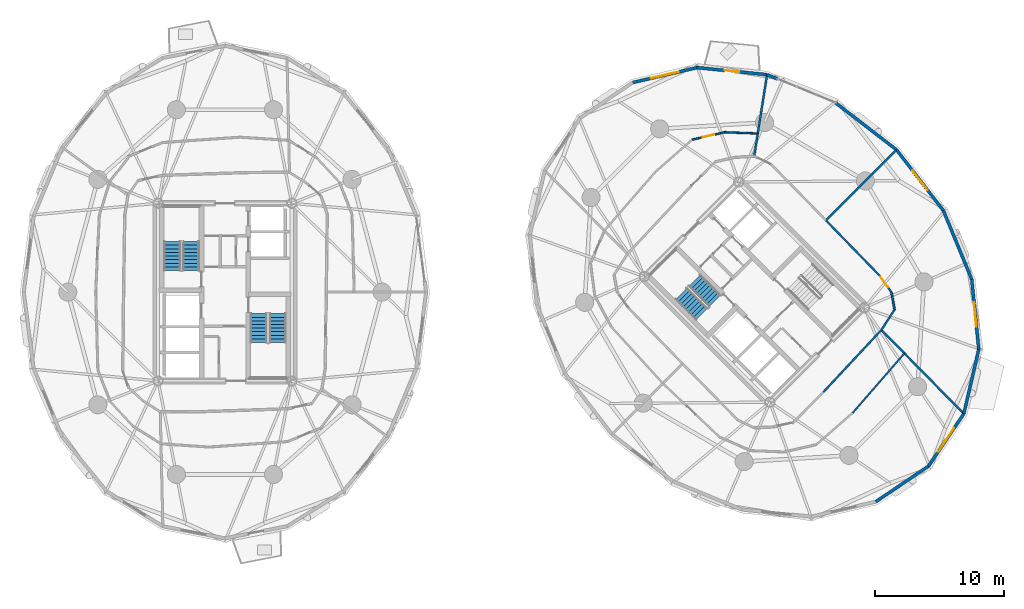
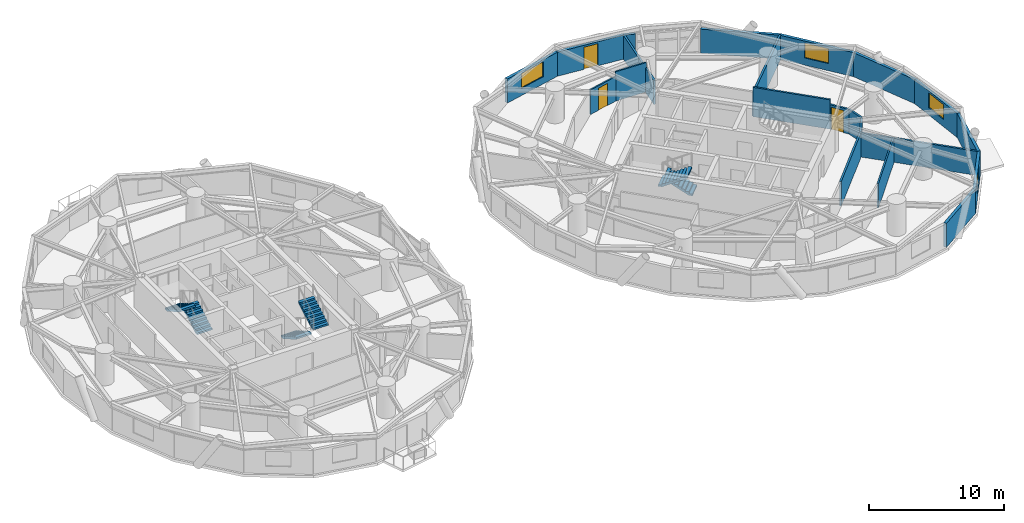
# One storey, part 14 of 18: 21 walls, 6 stair flights, 4 windows, 3 doors, 7 openings, 3 elements without a shape of their own.
"""IFC4 building model written with IfcOpenShell, lengths in metres."""

import ifcopenshell
import ifcopenshell.guid

model = None  # the IFC model being written
_history = None  # IfcOwnerHistory: only IFC2X3 demands one
_inside = {}  # id of a spatial element -> (the spatial element, [elements in it])
_under = {}  # id of a project, library or spatial element -> (it, [spatial elements below it])
_declared = {}  # id of a project -> (the project, [libraries it declares])
_typed = {}  # id of a type object -> (the type object, [elements of that type])
_made_of = {}  # id of a material, layer set ... -> (it, [elements and type objects made of it])


def new_model(schema):
    """Start an empty IFC model of exactly this schema.

    Asked for "IFC4X3", IfcOpenShell would pick the latest addendum, in which some entities
    have other attributes; the version numbers below select the first issue.
    IFC2X3 requires an IfcOwnerHistory on every rooted entity: one is made here for all.
    """
    global model, _history
    if schema == "IFC4X3":
        model = ifcopenshell.file(schema_version=(4, 3, 0, 0))
    else:
        model = ifcopenshell.file(schema=schema)
    _inside.clear()
    _under.clear()
    _declared.clear()
    _typed.clear()
    _made_of.clear()
    _history = None
    if model.schema == "IFC2X3":
        org = make("IfcOrganization", Name="unknown")
        user = make(
            "IfcPersonAndOrganization",
            ThePerson=make("IfcPerson", FamilyName="unknown"),
            TheOrganization=org,
        )
        app = make(
            "IfcApplication",
            ApplicationDeveloper=org,
            Version="unknown",
            ApplicationFullName="unknown",
            ApplicationIdentifier="unknown",
        )
        _history = make(
            "IfcOwnerHistory",
            OwningUser=user,
            OwningApplication=app,
            ChangeAction="ADDED",
            CreationDate=0,
        )
    return model


def make(cls, **values):
    """One entity of the class cls with the attributes given. An attribute that is None is left unset."""
    return model.create_entity(
        cls, **{name: value for name, value in values.items() if value is not None}
    )


def rooted(cls, **values):
    """An entity with a GlobalId (a new one), such as an element, a storey or a relation."""
    return make(cls, GlobalId=ifcopenshell.guid.new(), OwnerHistory=_history, **values)


def si_unit(unit_type, name, prefix=None):
    """IfcSIUnit, for example si_unit("LENGTHUNIT", "METRE", prefix="MILLI")."""
    return make("IfcSIUnit", UnitType=unit_type, Prefix=prefix, Name=name)


def assignment(units):
    """IfcUnitAssignment: the units of a project."""
    return None if units is None else make("IfcUnitAssignment", Units=units)


def point(xyz):
    """IfcCartesianPoint."""
    return None if xyz is None else make("IfcCartesianPoint", Coordinates=xyz)


def direction(xyz):
    """IfcDirection."""
    return None if xyz is None else make("IfcDirection", DirectionRatios=xyz)


def frame(location, z_axis=None, x_axis=None):
    """IfcAxis2Placement3D, a coordinate frame: its origin and axes. An axis left out is left unset."""
    return make(
        "IfcAxis2Placement3D",
        Location=point(location),
        Axis=direction(z_axis),
        RefDirection=direction(x_axis),
    )


def frame_2d(location, x_axis=None):
    """IfcAxis2Placement2D, a coordinate frame in the plane: its origin and x axis."""
    return make(
        "IfcAxis2Placement2D", Location=point(location), RefDirection=direction(x_axis)
    )


def origin():
    """The frame at (0, 0, 0) with its axes left unset."""
    return frame((0.0, 0.0, 0.0))


def place(relative_to, where):
    """IfcLocalPlacement: puts the frame where relative to a parent placement (None: the world)."""
    return make(
        "IfcLocalPlacement", PlacementRelTo=relative_to, RelativePlacement=where
    )


def context(
    kind, dimensions, precision=None, world=None, true_north=None, identifier=None
):
    """IfcGeometricRepresentationContext, for example the 3D "Model" context."""
    return make(
        "IfcGeometricRepresentationContext",
        ContextIdentifier=identifier,
        ContextType=kind,
        CoordinateSpaceDimension=dimensions,
        Precision=precision,
        WorldCoordinateSystem=world,
        TrueNorth=true_north,
    )


def subcontext(parent, identifier, kind, view, scale=None):
    """IfcGeometricRepresentationSubContext, for example "Body" below "Model"."""
    return make(
        "IfcGeometricRepresentationSubContext",
        ContextIdentifier=identifier,
        ContextType=kind,
        ParentContext=parent,
        TargetScale=scale,
        TargetView=view,
    )


def project(units=None, contexts=None):
    """IfcProject with its units and contexts."""
    return rooted(
        "IfcProject",
        Name="project",
        RepresentationContexts=contexts,
        UnitsInContext=assignment(units),
    )


def spatial(cls, under=None, at=None, **own):
    """A site, building, storey or space (cls), placed at a placement, below another one or the project."""
    s = rooted(cls, ObjectPlacement=at, **own)
    if under is not None:
        _under.setdefault(under.id(), (under, []))[1].append(s)
    return s


def polyline(points):
    """IfcPolyline through the points."""
    return make("IfcPolyline", Points=[point(p) for p in points])


def profile(cls, at=None, kind="AREA", **sizes):
    """A parametric profile (cls). Its sizes go by their IFC names, for example OverallWidth=200.0."""
    return make(cls, ProfileType=kind, Position=at, **sizes)


def rectangle(**sizes):
    """IfcRectangleProfileDef."""
    return profile("IfcRectangleProfileDef", **sizes)


def outline(outer, holes=None, kind="AREA"):
    """IfcArbitraryClosedProfileDef: a profile drawn as a closed curve; with holes, ...WithVoids."""
    if holes is None:
        return make("IfcArbitraryClosedProfileDef", ProfileType=kind, OuterCurve=outer)
    return make(
        "IfcArbitraryProfileDefWithVoids",
        ProfileType=kind,
        OuterCurve=outer,
        InnerCurves=holes,
    )


def extrude(swept, where, along, depth):
    """IfcExtrudedAreaSolid: the profile swept, set in the frame where, extruded along a direction by depth."""
    return make(
        "IfcExtrudedAreaSolid",
        SweptArea=swept,
        Position=where,
        ExtrudedDirection=direction(along),
        Depth=depth,
    )


def shape(context_of_items, identifier, shape_type, items):
    """IfcShapeRepresentation: the items that make up one representation, for example the "Body"."""
    return make(
        "IfcShapeRepresentation",
        ContextOfItems=context_of_items,
        RepresentationIdentifier=identifier,
        RepresentationType=shape_type,
        Items=items,
    )


def source(mapping_origin, context_of_items, identifier, shape_type, items):
    """IfcRepresentationMap: a shape defined once, which mapped items show again and again."""
    return make(
        "IfcRepresentationMap",
        MappingOrigin=mapping_origin,
        MappedRepresentation=shape(context_of_items, identifier, shape_type, items),
    )


def transform(
    local_origin,
    x_axis=None,
    y_axis=None,
    z_axis=None,
    scale=None,
    scale2=None,
    scale3=None,
    uniform=True,
):
    """IfcCartesianTransformationOperator3D, or its non-uniform kind. x_axis, y_axis, z_axis: its Axis1, 2, 3."""
    if uniform:
        return make(
            "IfcCartesianTransformationOperator3D",
            Axis1=direction(x_axis),
            Axis2=direction(y_axis),
            LocalOrigin=point(local_origin),
            Scale=scale,
            Axis3=direction(z_axis),
        )
    return make(
        "IfcCartesianTransformationOperator3DnonUniform",
        Axis1=direction(x_axis),
        Axis2=direction(y_axis),
        LocalOrigin=point(local_origin),
        Scale=scale,
        Axis3=direction(z_axis),
        Scale2=scale2,
        Scale3=scale3,
    )


def mapped(mapping_source, mapping_target):
    """IfcMappedItem: shows the shape of a source again, moved by a transform."""
    return make(
        "IfcMappedItem", MappingSource=mapping_source, MappingTarget=mapping_target
    )


def material(Name=None, Category=None):
    """IfcMaterial."""
    return make("IfcMaterial", Name=Name, Category=Category)


def layer(
    of_material, thickness, ventilated=None, Name=None, Category=None, Priority=None
):
    """IfcMaterialLayer: one layer of a wall or slab, of a material (None: an air gap)."""
    return make(
        "IfcMaterialLayer",
        Material=of_material,
        LayerThickness=thickness,
        IsVentilated=ventilated,
        Name=Name,
        Category=Category,
        Priority=Priority,
    )


def layer_set(layers, Name=None):
    """IfcMaterialLayerSet."""
    return make("IfcMaterialLayerSet", MaterialLayers=layers, LayerSetName=Name)


def made_of(thing, what):
    """Note that an element or type object is made of a material, layer set ...; save() writes the relation."""
    if what is not None:
        _made_of.setdefault(what.id(), (what, []))[1].append(thing)
    return thing


def type_object(cls, material=None, **own):
    """A type object (cls), such as IfcWallType, which elements share."""
    return made_of(rooted(cls, **own), material)


def element(
    cls,
    number,
    at=None,
    inside=None,
    cuts=None,
    type_object=None,
    material=None,
    context=None,
    identifier="Body",
    shape_type=None,
    held_by="IfcProductDefinitionShape",
    body=None,
    shapes=None,
    **own,
):
    """One element of the class cls, such as IfcWall. Its Tag is "e" and its number.

    at: its placement. inside: the storey or other place that contains it. cuts: it is an
    opening in that element (IfcRelVoidsElement). A single representation is given by context,
    identifier, shape_type and body (its items); several are given by shapes. held_by: the class
    of the entity that holds the representations. save() writes the other relations.
    """
    e = rooted(cls, Tag="e%d" % number, ObjectPlacement=at, **own)
    if body is not None:
        shapes = [shape(context, identifier, shape_type, body)]
    if shapes is not None:
        e.Representation = make(held_by, Representations=shapes)
    if inside is not None:
        _inside.setdefault(inside.id(), (inside, []))[1].append(e)
    if cuts is not None:
        rooted(
            "IfcRelVoidsElement", RelatingBuildingElement=cuts, RelatedOpeningElement=e
        )
    if type_object is not None:
        _typed.setdefault(type_object.id(), (type_object, []))[1].append(e)
    return made_of(e, material)


def fill(opening, filler):
    """IfcRelFillsElement: the door or window that sits in an opening."""
    return rooted(
        "IfcRelFillsElement",
        RelatingOpeningElement=opening,
        RelatedBuildingElement=filler,
    )


def aggregate(whole, parts):
    """IfcRelAggregates: a whole, such as a stair, and the parts it consists of."""
    return rooted("IfcRelAggregates", RelatingObject=whole, RelatedObjects=parts)


def save(model, path):
    """Write the relations noted so far, then the file.

    IfcRelAggregates (storeys below a building ...), IfcRelContainedInSpatialStructure (elements
    in a storey), IfcRelDefinesByType, IfcRelAssociatesMaterial and IfcRelDeclares: one each for
    every whole, place, type object, material and project.
    """
    for whole, parts in _under.values():
        aggregate(whole, parts)
    for where, things in _inside.values():
        rooted(
            "IfcRelContainedInSpatialStructure",
            RelatedElements=things,
            RelatingStructure=where,
        )
    for kind, things in _typed.values():
        rooted("IfcRelDefinesByType", RelatedObjects=things, RelatingType=kind)
    for what, things in _made_of.values():
        rooted("IfcRelAssociatesMaterial", RelatedObjects=things, RelatingMaterial=what)
    for by, libraries in _declared.values():
        rooted("IfcRelDeclares", RelatingContext=by, RelatedDefinitions=libraries)
    model.write(path)


model = new_model("IFC4")

# Units and contexts
model_context = context("Model", 3, precision=1e-05, world=origin(), true_north=direction((0.0, 1.0)))
body_context = subcontext(model_context, "Body", "Model", "MODEL_VIEW")
ifc_project = project(units=[si_unit("LENGTHUNIT", "METRE"), si_unit("AREAUNIT", "SQUARE_METRE"), si_unit("VOLUMEUNIT", "CUBIC_METRE"), si_unit("PLANEANGLEUNIT", "RADIAN"), si_unit("MASSUNIT", "GRAM", prefix="KILO")], contexts=[model_context])

# Site, building, storey
site_placement = place(None, origin())
site = spatial("IfcSite", under=ifc_project, at=site_placement, CompositionType="ELEMENT")
building_placement = place(site_placement, origin())
building = spatial("IfcBuilding", under=site, at=building_placement, Name="Cununo Teusaquillo Station Towers", CompositionType="ELEMENT")
storey_placement = place(building_placement, frame((0.0, 0.0, 87.610107421875)))
storey = spatial("IfcBuildingStorey", under=building, at=storey_placement, Name="L27", CompositionType="ELEMENT", Elevation=87.610107421875)

# Walls
ifc_material_1 = material(Name="Precast concrete C40/50", Category="concrete")
ifc_layer_1 = layer(ifc_material_1, 0.239990234375)
ifc_layer_set_1 = layer_set([ifc_layer_1], Name="Precast concrete C40/50")
wall_type_1 = type_object("IfcWallType", Name="WL-EXT-240", PredefinedType="SOLIDWALL", material=ifc_layer_set_1)
wall_1_placement = place(storey_placement, frame((63.811279296875, 39.145263671875, 0.0), z_axis=(0.0, 0.0, 1.0), x_axis=(0.791982052206, -0.61054437102, 0.0)))
element("IfcWall", 1, at=wall_1_placement, inside=storey, type_object=wall_type_1, Name="L27 Tower B Exterior Facade Wall C00", PredefinedType="SOLIDWALL", context=body_context, shape_type="SweptSolid", body=[
    extrude(rectangle(XDim=5.942138671875, YDim=0.239990234375, at=frame_2d((2.97119140625, 0.0))), origin(), (0.0, 0.0, 1.0), 2.178955078125),
])
wall_2_placement = place(storey_placement, frame((58.4873046875, 41.33935546875, 0.0), z_axis=(0.0, 0.0, 1.0), x_axis=(0.924556017656, -0.381046152345, 0.0)))
element("IfcWall", 2, at=wall_2_placement, inside=storey, type_object=wall_type_1, Name="L27 Tower B Column Pier Cladding Wall C01-PA", PredefinedType="SOLIDWALL", context=body_context, shape_type="SweptSolid", body=[
    extrude(rectangle(XDim=0.8701171875, YDim=0.239990234375, at=frame_2d((0.43505859375, 0.0))), origin(), (0.0, 0.0, 1.0), 2.178955078125),
])

# Wall, opening, door
wall_3_placement = place(storey_placement, frame((53.066650390625, 41.885009765625, 0.0), z_axis=(0.0, 0.0, 1.0), x_axis=(0.994971754311, -0.10015591906, 0.0)))
wall_3 = element("IfcWall", 3, at=wall_3_placement, inside=storey, type_object=wall_type_1, Name="L27 Tower B Exterior Facade Wall C02", PredefinedType="SOLIDWALL", context=body_context, shape_type="SweptSolid", body=[
    extrude(rectangle(XDim=5.447998046875, YDim=0.239990234375, at=frame_2d((2.72412109375, 0.0))), origin(), (0.0, 0.0, 1.0), 2.178955078125),
])
shared_shape_1 = source(origin(), body_context, "Body", "SweptSolid", [
    extrude(rectangle(XDim=1.14990234375, YDim=2.0048828125, at=frame_2d((0.574951171875, 1.00244140625))), frame((0.0, 0.1298828125, 0.0), z_axis=(0.0, -1.0, 0.0), x_axis=(1.0, 0.0, 0.0)), (0.0, 0.0, 1.0), 0.260009765625),
])
opening_1_placement = place(wall_3_placement, frame((2.14892578125, 0.0, 0.0)))
opening_1 = element("IfcOpeningElement", 4, at=opening_1_placement, cuts=wall_3, Name="Opening ED-03", PredefinedType="OPENING", context=body_context, shape_type="MappedRepresentation", body=[
    mapped(shared_shape_1, transform((0.0, 0.0, 0.0), x_axis=(1.0, 0.0, 0.0), y_axis=(0.0, 1.0, 0.0), z_axis=(0.0, 0.0, 1.0), scale=1.0)),
])
ifc_material_2 = material(Name="Anodised dark bronze aluminium EN AW-6063-T6", Category="aluminium")
door_type_1 = type_object("IfcDoorType", Name="DR-EXT-BAL", OperationType="NOTDEFINED", PredefinedType="DOOR", material=ifc_material_2)
shared_shape_2 = source(origin(), body_context, "Body", "SweptSolid", [
    extrude(rectangle(XDim=1.14990234375, YDim=2.0048828125, at=frame_2d((0.574951171875, 1.00244140625))), frame((0.0, 0.02490234375, 0.0), z_axis=(0.0, -1.0, 0.0), x_axis=(1.0, 0.0, 0.0)), (0.0, 0.0, 1.0), 0.050048828125),
])
door_1_placement = place(opening_1_placement, origin())
door_1 = element("IfcDoor", 5, at=door_1_placement, inside=storey, type_object=door_type_1, Name="L27 Tower B Tree Balcony Door C02", OperationType="SINGLE_SWING_LEFT", OverallHeight=2.0048828125, OverallWidth=1.14990234375, PredefinedType="DOOR", context=body_context, shape_type="MappedRepresentation", body=[
    mapped(shared_shape_2, transform((0.0, 0.0, 0.0), x_axis=(1.0, 0.0, 0.0), y_axis=(0.0, 1.0, 0.0), z_axis=(0.0, 0.0, 1.0), scale=1.0)),
])
fill(opening_1, door_1)

# Wall, opening, window
wall_4_placement = place(storey_placement, frame((48.080078125, 40.72900390625, 0.0), z_axis=(0.0, 0.0, 1.0), x_axis=(0.974165631126, 0.225834725257, 0.0)))
wall_4 = element("IfcWall", 6, at=wall_4_placement, inside=storey, type_object=wall_type_1, Name="L27 Tower B Exterior Facade Wall C03", PredefinedType="SOLIDWALL", context=body_context, shape_type="SweptSolid", body=[
    extrude(rectangle(XDim=5.118896484375, YDim=0.239990234375, at=frame_2d((2.5595703125, 0.0))), origin(), (0.0, 0.0, 1.0), 2.178955078125),
])
shared_shape_3 = source(origin(), body_context, "Body", "SweptSolid", [
    extrude(rectangle(XDim=2.199951171875, YDim=1.35009765625, at=frame_2d((1.10009765625, 0.675048828125))), frame((0.0, 0.1298828125, 0.0), z_axis=(0.0, -1.0, 0.0), x_axis=(1.0, 0.0, 0.0)), (0.0, 0.0, 1.0), 0.260009765625),
])
opening_2_placement = place(wall_4_placement, frame((1.458984375, 0.0, 0.64990234375)))
opening_2 = element("IfcOpeningElement", 7, at=opening_2_placement, cuts=wall_4, Name="Opening WN-01", PredefinedType="OPENING", context=body_context, shape_type="MappedRepresentation", body=[
    mapped(shared_shape_3, transform((0.0, 0.0, 0.0), x_axis=(1.0, 0.0, 0.0), y_axis=(0.0, 1.0, 0.0), z_axis=(0.0, 0.0, 1.0), scale=1.0)),
])
ifc_material_3 = material(Name="Ceramic-fritted dark low-E double glazing", Category="glass")
window_type_1 = type_object("IfcWindowType", Name="WIN-FRIT-2200", PartitioningType="DOUBLE_PANEL_VERTICAL", PredefinedType="WINDOW", material=ifc_material_3)
shared_shape_4 = source(origin(), body_context, "Body", "SweptSolid", [
    extrude(rectangle(XDim=2.199951171875, YDim=1.35009765625, at=frame_2d((1.10009765625, 0.675048828125))), frame((0.0, 0.030029296875, 0.0), z_axis=(0.0, -1.0, 0.0), x_axis=(1.0, 0.0, 0.0)), (0.0, 0.0, 1.0), 0.06005859375),
])
window_1_placement = place(opening_2_placement, origin())
window_1 = element("IfcWindow", 8, at=window_1_placement, inside=storey, type_object=window_type_1, Name="L27 Tower B Facade Window C03", OverallHeight=1.35009765625, OverallWidth=2.199951171875, PartitioningType="DOUBLE_PANEL_VERTICAL", PredefinedType="WINDOW", context=body_context, shape_type="MappedRepresentation", body=[
    mapped(shared_shape_4, transform((0.0, 0.0, 0.0), x_axis=(1.0, 0.0, 0.0), y_axis=(0.0, 1.0, 0.0), z_axis=(0.0, 0.0, 1.0), scale=1.0)),
])
fill(opening_2, window_1)

# Wall
wall_5_placement = place(storey_placement, frame((70.984619140625, 11.015380859375, 0.0), z_axis=(0.0, 0.0, 1.0), x_axis=(-0.828781148131, -0.559572880421, 0.0)))
element("IfcWall", 9, at=wall_5_placement, inside=storey, type_object=wall_type_1, Name="L27 Tower B Exterior Facade Wall C14", PredefinedType="SOLIDWALL", context=body_context, shape_type="SweptSolid", body=[
    extrude(rectangle(XDim=4.904541015625, YDim=0.239990234375, at=frame_2d((2.4521484375, 0.0))), origin(), (0.0, 0.0, 1.0), 2.178955078125),
])

# Wall, opening, window
wall_6_placement = place(storey_placement, frame((73.72900390625, 15.080078125, 0.0), z_axis=(0.0, 0.0, 1.0), x_axis=(-0.559572880421, -0.828781148131, 0.0)))
wall_6 = element("IfcWall", 10, at=wall_6_placement, inside=storey, type_object=wall_type_1, Name="L27 Tower B Exterior Facade Wall C15", PredefinedType="SOLIDWALL", context=body_context, shape_type="SweptSolid", body=[
    extrude(rectangle(XDim=4.904541015625, YDim=0.239990234375, at=frame_2d((2.4521484375, 0.0))), origin(), (0.0, 0.0, 1.0), 2.178955078125),
])
opening_3_placement = place(wall_6_placement, frame((1.35205078125, 0.0, 0.64990234375)))
opening_3 = element("IfcOpeningElement", 11, at=opening_3_placement, cuts=wall_6, Name="Opening WN-01", PredefinedType="OPENING", context=body_context, shape_type="MappedRepresentation", body=[
    mapped(shared_shape_3, transform((0.0, 0.0, 0.0), x_axis=(1.0, 0.0, 0.0), y_axis=(0.0, 1.0, 0.0), z_axis=(0.0, 0.0, 1.0), scale=1.0)),
])
window_2_placement = place(opening_3_placement, origin())
window_2 = element("IfcWindow", 12, at=window_2_placement, inside=storey, type_object=window_type_1, Name="L27 Tower B Facade Window C15", OverallHeight=1.35009765625, OverallWidth=2.199951171875, PartitioningType="DOUBLE_PANEL_VERTICAL", PredefinedType="WINDOW", context=body_context, shape_type="MappedRepresentation", body=[
    mapped(shared_shape_4, transform((0.0, 0.0, 0.0), x_axis=(1.0, 0.0, 0.0), y_axis=(0.0, 1.0, 0.0), z_axis=(0.0, 0.0, 1.0), scale=1.0)),
])
fill(opening_3, window_2)

# Wall
wall_7_placement = place(storey_placement, frame((74.885009765625, 20.066650390625, 0.0), z_axis=(0.0, 0.0, 1.0), x_axis=(-0.225834725257, -0.974165631126, 0.0)))
element("IfcWall", 13, at=wall_7_placement, inside=storey, type_object=wall_type_1, Name="L27 Tower B Exterior Facade Wall C16", PredefinedType="SOLIDWALL", context=body_context, shape_type="SweptSolid", body=[
    extrude(rectangle(XDim=5.118896484375, YDim=0.239990234375, at=frame_2d((2.5595703125, 0.0))), origin(), (0.0, 0.0, 1.0), 2.178955078125),
])

# Wall, opening, window
wall_8_placement = place(storey_placement, frame((74.33935546875, 25.4873046875, 0.0), z_axis=(0.0, 0.0, 1.0), x_axis=(0.10015591906, -0.994971754311, 0.0)))
wall_8 = element("IfcWall", 14, at=wall_8_placement, inside=storey, type_object=wall_type_1, Name="L27 Tower B Exterior Facade Wall C17", PredefinedType="SOLIDWALL", context=body_context, shape_type="SweptSolid", body=[
    extrude(rectangle(XDim=5.447998046875, YDim=0.239990234375, at=frame_2d((2.72412109375, 0.0))), origin(), (0.0, 0.0, 1.0), 2.178955078125),
])
shared_shape_5 = source(origin(), body_context, "Body", "SweptSolid", [
    extrude(rectangle(XDim=1.89990234375, YDim=1.35009765625, at=frame_2d((0.949951171875, 0.675048828125))), frame((0.0, 0.1298828125, 0.0), z_axis=(0.0, -1.0, 0.0), x_axis=(1.0, 0.0, 0.0)), (0.0, 0.0, 1.0), 0.260009765625),
])
opening_4_placement = place(wall_8_placement, frame((1.77392578125, 0.0, 0.64990234375)))
opening_4 = element("IfcOpeningElement", 15, at=opening_4_placement, cuts=wall_8, Name="Opening WN-02", PredefinedType="OPENING", context=body_context, shape_type="MappedRepresentation", body=[
    mapped(shared_shape_5, transform((0.0, 0.0, 0.0), x_axis=(1.0, 0.0, 0.0), y_axis=(0.0, 1.0, 0.0), z_axis=(0.0, 0.0, 1.0), scale=1.0)),
])
ifc_material_4 = material(Name="Operable acoustic tinted low-E double glazing", Category="glass")
window_type_2 = type_object("IfcWindowType", Name="WIN-OPER-1900", PartitioningType="DOUBLE_PANEL_VERTICAL", PredefinedType="WINDOW", material=ifc_material_4)
shared_shape_6 = source(origin(), body_context, "Body", "SweptSolid", [
    extrude(rectangle(XDim=1.89990234375, YDim=1.35009765625, at=frame_2d((0.949951171875, 0.675048828125))), frame((0.0, 0.030029296875, 0.0), z_axis=(0.0, -1.0, 0.0), x_axis=(1.0, 0.0, 0.0)), (0.0, 0.0, 1.0), 0.06005859375),
])
window_3_placement = place(opening_4_placement, origin())
window_3 = element("IfcWindow", 16, at=window_3_placement, inside=storey, type_object=window_type_2, Name="L27 Tower B Facade Window C17", OverallHeight=1.35009765625, OverallWidth=1.89990234375, PartitioningType="DOUBLE_PANEL_VERTICAL", PredefinedType="WINDOW", context=body_context, shape_type="MappedRepresentation", body=[
    mapped(shared_shape_6, transform((0.0, 0.0, 0.0), x_axis=(1.0, 0.0, 0.0), y_axis=(0.0, 1.0, 0.0), z_axis=(0.0, 0.0, 1.0), scale=1.0)),
])
fill(opening_4, window_3)

# Wall
wall_9_placement = place(storey_placement, frame((72.145263671875, 30.811279296875, 0.0), z_axis=(0.0, 0.0, 1.0), x_axis=(0.381027003055, -0.924563909604, 0.0)))
element("IfcWall", 17, at=wall_9_placement, inside=storey, type_object=wall_type_1, Name="L27 Tower B Exterior Facade Wall C18", PredefinedType="SOLIDWALL", context=body_context, shape_type="SweptSolid", body=[
    extrude(rectangle(XDim=5.75830078125, YDim=0.239990234375, at=frame_2d((2.879150390625, 0.0))), origin(), (0.0, 0.0, 1.0), 2.178955078125),
])

# Wall, opening, window
wall_10_placement = place(storey_placement, frame((68.517333984375, 35.517333984375, 0.0), z_axis=(0.0, 0.0, 1.0), x_axis=(0.61054437102, -0.791982052206, 0.0)))
wall_10 = element("IfcWall", 18, at=wall_10_placement, inside=storey, type_object=wall_type_1, Name="L27 Tower B Exterior Facade Wall C19", PredefinedType="SOLIDWALL", context=body_context, shape_type="SweptSolid", body=[
    extrude(rectangle(XDim=5.942138671875, YDim=0.239990234375, at=frame_2d((2.97119140625, 0.0))), origin(), (0.0, 0.0, 1.0), 2.178955078125),
])
opening_5_placement = place(wall_10_placement, frame((2.02099609375, 0.0, 0.64990234375)))
opening_5 = element("IfcOpeningElement", 19, at=opening_5_placement, cuts=wall_10, Name="Opening WN-02", PredefinedType="OPENING", context=body_context, shape_type="MappedRepresentation", body=[
    mapped(shared_shape_5, transform((0.0, 0.0, 0.0), x_axis=(1.0, 0.0, 0.0), y_axis=(0.0, 1.0, 0.0), z_axis=(0.0, 0.0, 1.0), scale=1.0)),
])
window_4_placement = place(opening_5_placement, origin())
window_4 = element("IfcWindow", 20, at=window_4_placement, inside=storey, type_object=window_type_2, Name="L27 Tower B Facade Window C19", OverallHeight=1.35009765625, OverallWidth=1.89990234375, PartitioningType="DOUBLE_PANEL_VERTICAL", PredefinedType="WINDOW", context=body_context, shape_type="MappedRepresentation", body=[
    mapped(shared_shape_6, transform((0.0, 0.0, 0.0), x_axis=(1.0, 0.0, 0.0), y_axis=(0.0, 1.0, 0.0), z_axis=(0.0, 0.0, 1.0), scale=1.0)),
])
fill(opening_5, window_4)

# Wall
ifc_material_5 = material(Name="Fire-rated gypsum plasterboard partition assembly", Category="gypsum")
ifc_layer_2 = layer(ifc_material_5, 0.125)
ifc_layer_set_2 = layer_set([ifc_layer_2], Name="Fire-rated gypsum plasterboard partition assembly")
wall_type_2 = type_object("IfcWallType", Name="WL-PART-125", PredefinedType="PARTITIONING", material=ifc_layer_set_2)
wall_11_placement = place(storey_placement, frame((57.768798828125, 36.784912109375, 0.0), z_axis=(0.0, 0.0, 1.0), x_axis=(-0.999316779648, 0.036959084311, 0.0)))
element("IfcWall", 21, at=wall_11_placement, inside=storey, type_object=wall_type_2, Name="L27 Tower B Parametric Prototyping Lab Concentric Partition Wall C02", PredefinedType="PARTITIONING", context=body_context, shape_type="SweptSolid", body=[
    extrude(rectangle(XDim=2.576171875, YDim=0.125, at=frame_2d((1.2880859375, 0.0))), origin(), (0.0, 0.0, 1.0), 2.65478515625),
])

# Wall, opening, door
wall_12_placement = place(storey_placement, frame((55.1943359375, 36.880126953125, 0.0), z_axis=(0.0, 0.0, 1.0), x_axis=(-0.97469098149, -0.22355645954, 0.0)))
wall_12 = element("IfcWall", 22, at=wall_12_placement, inside=storey, type_object=wall_type_2, Name="L27 Tower B Parametric Prototyping Lab Concentric Partition Wall C03", PredefinedType="PARTITIONING", context=body_context, shape_type="SweptSolid", body=[
    extrude(rectangle(XDim=2.572998046875, YDim=0.125, at=frame_2d((1.28662109375, 0.0))), origin(), (0.0, 0.0, 1.0), 2.224853515625),
])
shared_shape_7 = source(origin(), body_context, "Body", "SweptSolid", [
    extrude(rectangle(XDim=0.89990234375, YDim=2.0048828125, at=frame_2d((0.449951171875, 1.00244140625))), frame((0.0, 0.072509765625, 0.0), z_axis=(0.0, -1.0, 0.0), x_axis=(1.0, 0.0, 0.0)), (0.0, 0.0, 1.0), 0.14501953125),
])
opening_6_placement = place(wall_12_placement, frame((0.83642578125, 0.0, 0.0)))
opening_6 = element("IfcOpeningElement", 23, at=opening_6_placement, cuts=wall_12, Name="Opening D-IN1", PredefinedType="OPENING", context=body_context, shape_type="MappedRepresentation", body=[
    mapped(shared_shape_7, transform((0.0, 0.0, 0.0), x_axis=(1.0, 0.0, 0.0), y_axis=(0.0, 1.0, 0.0), z_axis=(0.0, 0.0, 1.0), scale=1.0)),
])
ifc_material_6 = material(Name="Acoustic solid-core hardwood leaf assembly", Category="wood")
door_type_2 = type_object("IfcDoorType", Name="DR-INT-900", OperationType="NOTDEFINED", PredefinedType="DOOR", material=ifc_material_6)
shared_shape_8 = source(origin(), body_context, "Body", "SweptSolid", [
    extrude(rectangle(XDim=0.89990234375, YDim=2.0048828125, at=frame_2d((0.449951171875, 1.00244140625))), frame((0.0, 0.02490234375, 0.0), z_axis=(0.0, -1.0, 0.0), x_axis=(1.0, 0.0, 0.0)), (0.0, 0.0, 1.0), 0.050048828125),
])
door_2_placement = place(opening_6_placement, origin())
door_2 = element("IfcDoor", 24, at=door_2_placement, inside=storey, type_object=door_type_2, Name="L27 Tower B Parametric Prototyping Lab Connecting Door", OperationType="SINGLE_SWING_LEFT", OverallHeight=2.0048828125, OverallWidth=0.89990234375, PredefinedType="DOOR", context=body_context, shape_type="MappedRepresentation", body=[
    mapped(shared_shape_8, transform((0.0, 0.0, 0.0), x_axis=(1.0, 0.0, 0.0), y_axis=(0.0, 1.0, 0.0), z_axis=(0.0, 0.0, 1.0), scale=1.0)),
])
fill(opening_6, door_2)

# Walls
wall_13_placement = place(storey_placement, frame((65.1162109375, 15.14453125, 0.0), z_axis=(0.0, 0.0, 1.0), x_axis=(0.656272685344, 0.75452379848, 0.0)))
element("IfcWall", 25, at=wall_13_placement, inside=storey, type_object=wall_type_2, Name="L27 Tower B Staff Espresso & Pantry Lounge Concentric Partition Wall C15", PredefinedType="PARTITIONING", context=body_context, shape_type="SweptSolid", body=[
    extrude(rectangle(XDim=6.1103515625, YDim=0.125, at=frame_2d((3.05517578125, 0.0))), origin(), (0.0, 0.0, 1.0), 2.224853515625),
])
ifc_material_7 = material(Name="Fire-rated gypsum plasterboard partition assembly", Category="gypsum")
ifc_layer_3 = layer(ifc_material_7, 0.14990234375)
ifc_layer_set_3 = layer_set([ifc_layer_3], Name="Fire-rated gypsum plasterboard partition assembly")
wall_type_3 = type_object("IfcWallType", Name="WL-PART-150", PredefinedType="PARTITIONING", material=ifc_layer_set_3)
wall_14_placement = place(storey_placement, frame((62.83935546875, 16.74462890625, 0.0), z_axis=(0.0, 0.0, 1.0), x_axis=(0.682386779427, 0.73099130177, 0.0)))
element("IfcWall", 26, at=wall_14_placement, inside=storey, type_object=wall_type_3, Name="L27 Tower B Corridor Ring Wall C15", PredefinedType="PARTITIONING", context=body_context, shape_type="SweptSolid", body=[
    extrude(rectangle(XDim=6.600341796875, YDim=0.14990234375, at=frame_2d((3.30029296875, 0.0))), origin(), (0.0, 0.0, 1.0), 2.224853515625),
])
wall_15_placement = place(storey_placement, frame((67.34326171875, 21.5693359375, 0.0), z_axis=(0.0, 0.0, 1.0), x_axis=(0.542722446786, 0.83991210597, 0.0)))
element("IfcWall", 27, at=wall_15_placement, inside=storey, type_object=wall_type_3, Name="L27 Tower B Corridor Ring Wall C16", PredefinedType="PARTITIONING", context=body_context, shape_type="SweptSolid", body=[
    extrude(rectangle(XDim=1.876220703125, YDim=0.14990234375, at=frame_2d((0.93798828125, 0.0))), origin(), (0.0, 0.0, 1.0), 2.224853515625),
])
wall_16_placement = place(storey_placement, frame((68.361572265625, 23.145263671875, 0.0), z_axis=(0.0, 0.0, 1.0), x_axis=(-0.175605524171, 0.984460613677, 0.0)))
element("IfcWall", 28, at=wall_16_placement, inside=storey, type_object=wall_type_3, Name="L27 Tower B Corridor Ring Wall C17", PredefinedType="PARTITIONING", context=body_context, shape_type="SweptSolid", body=[
    extrude(rectangle(XDim=1.369384765625, YDim=0.14990234375, at=frame_2d((0.6845703125, 0.0))), origin(), (0.0, 0.0, 1.0), 2.224853515625),
])

# Wall, opening, door
wall_17_placement = place(storey_placement, frame((68.12109375, 24.493408203125, 0.0), z_axis=(0.0, 0.0, 1.0), x_axis=(-0.583188677624, 0.812336732083, 0.0)))
wall_17 = element("IfcWall", 29, at=wall_17_placement, inside=storey, type_object=wall_type_3, Name="L27 Tower B Corridor Ring Wall C18", PredefinedType="PARTITIONING", context=body_context, shape_type="SweptSolid", body=[
    extrude(rectangle(XDim=1.59716796875, YDim=0.14990234375, at=frame_2d((0.798583984375, 0.0))), origin(), (0.0, 0.0, 1.0), 2.224853515625),
])
shared_shape_9 = source(origin(), body_context, "Body", "SweptSolid", [
    extrude(rectangle(XDim=1.0, YDim=2.014892578125, at=frame_2d((0.5, 1.00732421875))), frame((0.0, 0.0849609375, 0.0), z_axis=(0.0, -1.0, 0.0), x_axis=(1.0, 0.0, 0.0)), (0.0, 0.0, 1.0), 0.169921875),
])
opening_7_placement = place(wall_17_placement, frame((0.47705078125, 0.0, 0.0)))
opening_7 = element("IfcOpeningElement", 30, at=opening_7_placement, cuts=wall_17, Name="Opening D-AC1", PredefinedType="OPENING", context=body_context, shape_type="MappedRepresentation", body=[
    mapped(shared_shape_9, transform((0.0, 0.0, 0.0), x_axis=(1.0, 0.0, 0.0), y_axis=(0.0, 1.0, 0.0), z_axis=(0.0, 0.0, 1.0), scale=1.0)),
])
ifc_material_8 = material(Name="Acoustic solid-core hardwood leaf assembly", Category="wood")
door_type_3 = type_object("IfcDoorType", Name="DR-ACC-1000", OperationType="NOTDEFINED", PredefinedType="DOOR", material=ifc_material_8)
shared_shape_10 = source(origin(), body_context, "Body", "SweptSolid", [
    extrude(rectangle(XDim=1.0, YDim=2.014892578125, at=frame_2d((0.5, 1.00732421875))), frame((0.0, 0.02490234375, 0.0), z_axis=(0.0, -1.0, 0.0), x_axis=(1.0, 0.0, 0.0)), (0.0, 0.0, 1.0), 0.050048828125),
])
door_3_placement = place(opening_7_placement, origin())
door_3 = element("IfcDoor", 31, at=door_3_placement, inside=storey, type_object=door_type_3, Name="L27 Tower B Public Accessible Restroom WC Entrance Door", OperationType="SINGLE_SWING_RIGHT", OverallHeight=2.014892578125, OverallWidth=1.0, PredefinedType="DOOR", context=body_context, shape_type="MappedRepresentation", body=[
    mapped(shared_shape_10, transform((0.0, 0.0, 0.0), x_axis=(1.0, 0.0, 0.0), y_axis=(0.0, 1.0, 0.0), z_axis=(0.0, 0.0, 1.0), scale=1.0)),
])
fill(opening_7, door_3)

# Walls
wall_18_placement = place(storey_placement, frame((67.189697265625, 25.790771484375, 0.0), z_axis=(0.0, 0.0, 1.0), x_axis=(-0.696839457851, 0.717227139742, 0.0)))
element("IfcWall", 32, at=wall_18_placement, inside=storey, type_object=wall_type_3, Name="L27 Tower B Corridor Ring Wall C19", PredefinedType="PARTITIONING", context=body_context, shape_type="SweptSolid", body=[
    extrude(rectangle(XDim=5.939453125, YDim=0.14990234375, at=frame_2d((2.9697265625, 0.0))), origin(), (0.0, 0.0, 1.0), 2.65478515625),
])
ifc_material_9 = material(Name="Fire-rated gypsum plasterboard partition assembly", Category="gypsum")
ifc_layer_4 = layer(ifc_material_9, 0.159912109375)
ifc_layer_set_4 = layer_set([ifc_layer_4], Name="Fire-rated gypsum plasterboard partition assembly")
wall_type_4 = type_object("IfcWallType", Name="WL-PART-160", PredefinedType="PARTITIONING", material=ifc_layer_set_4)
wall_19_placement = place(storey_placement, frame((63.05078125, 30.05078125, 0.0), z_axis=(0.0, 0.0, 1.0), x_axis=(0.707106781187, 0.707106781187, 0.0)))
element("IfcWall", 33, at=wall_19_placement, inside=storey, type_object=wall_type_4, Name="L27 Tower B Radial Suite Partition R01", PredefinedType="PARTITIONING", context=body_context, shape_type="SweptSolid", body=[
    extrude(rectangle(XDim=7.711181640625, YDim=0.159912109375, at=frame_2d((3.85546875, 0.0))), origin(), (0.0, 0.0, 1.0), 2.178955078125),
])
wall_20_placement = place(storey_placement, frame((57.49072265625, 35.021484375, 0.0), z_axis=(0.0, 0.0, 1.0), x_axis=(0.155805268746, 0.98778779008, 0.0)))
element("IfcWall", 34, at=wall_20_placement, inside=storey, type_object=wall_type_4, Name="L27 Tower B Radial Suite Partition R02", PredefinedType="PARTITIONING", context=body_context, shape_type="SweptSolid", body=[
    extrude(rectangle(XDim=6.3759765625, YDim=0.159912109375, at=frame_2d((3.18798828125, 0.0))), origin(), (0.0, 0.0, 1.0), 2.178955078125),
])
wall_21_placement = place(storey_placement, frame((67.34326171875, 21.5693359375, 0.0), z_axis=(0.0, 0.0, 1.0), x_axis=(0.700899237588, -0.713260302238, 0.0)))
element("IfcWall", 35, at=wall_21_placement, inside=storey, type_object=wall_type_4, Name="L27 Tower B Radial Suite Partition R05", PredefinedType="PARTITIONING", context=body_context, shape_type="SweptSolid", body=[
    extrude(rectangle(XDim=9.08544921875, YDim=0.159912109375, at=frame_2d((4.542724609375, 0.0))), origin(), (0.0, 0.0, 1.0), 2.178955078125),
])

# Stair, stair flights
ifc_material_10 = material(Name="Concrete C50/60", Category="concrete")
stair_type = type_object("IfcStairType", Name="ST-TWR-1300", PredefinedType="HALF_TURN_STAIR", material=ifc_material_10)
stair_1_placement = place(storey_placement, origin())
stair_1 = element("IfcStair", 36, at=stair_1_placement, inside=storey, type_object=stair_type, Name="L27 Tower A Protected Core Exit Stair 1", PredefinedType="HALF_TURN_STAIR")
ifc_material_11 = material(Name="Concrete C50/60", Category="concrete")
stair_flight_type = type_object("IfcStairFlightType", Name="SFL-TWR-1300", PredefinedType="STRAIGHT", material=ifc_material_11)
stair_flight_1_placement = place(storey_placement, frame((13.8701171875, 26.169921875, 0.0), z_axis=(0.0, 0.0, 1.0), x_axis=(0.0, 1.0, 0.0)))
stair_flight_1 = element("IfcStairFlight", 37, at=stair_flight_1_placement, type_object=stair_flight_type, Name="ST-T1-1 flight 1", NumberOfRisers=9, NumberOfTreads=8, PredefinedType="STRAIGHT", RiserHeight=0.161666667, TreadLength=0.28, context=body_context, shape_type="SweptSolid", body=[
    extrude(outline(polyline([(0.0, 0.0), (0.0, 0.16162109375), (0.280029296875, 0.16162109375), (0.280029296875, 0.3232421875), (0.56005859375, 0.3232421875), (0.56005859375, 0.485107421875), (0.840087890625, 0.485107421875), (0.840087890625, 0.646728515625), (1.1201171875, 0.646728515625), (1.1201171875, 0.808349609375), (1.39990234375, 0.808349609375), (1.39990234375, 0.969970703125), (1.679931640625, 0.969970703125), (1.679931640625, 1.131591796875), (1.9599609375, 1.131591796875), (1.9599609375, 1.293212890625), (2.239990234375, 1.293212890625), (2.239990234375, 1.455078125), (2.239990234375, 1.1201171875), (0.2998046875, 0.0), (0.0, 0.0)])), frame((0.0, 0.64990234375, 0.0), z_axis=(0.0, -1.0, 0.0), x_axis=(1.0, 0.0, 0.0)), (0.0, 0.0, 1.0), 1.300048828125),
])
stair_flight_2_placement = place(storey_placement, frame((12.409912109375, 28.409912109375, 1.454833984375), z_axis=(0.0, 0.0, 1.0), x_axis=(0.0, -1.0, 0.0)))
stair_flight_2 = element("IfcStairFlight", 38, at=stair_flight_2_placement, type_object=stair_flight_type, Name="ST-T1-1 flight 2", NumberOfRisers=9, NumberOfTreads=8, PredefinedType="STRAIGHT", RiserHeight=0.161666667, TreadLength=0.28, context=body_context, shape_type="SweptSolid", body=[
    extrude(outline(polyline([(0.0, 0.0), (0.0, 0.16162109375), (0.280029296875, 0.16162109375), (0.280029296875, 0.3232421875), (0.56005859375, 0.3232421875), (0.56005859375, 0.485107421875), (0.840087890625, 0.485107421875), (0.840087890625, 0.646728515625), (1.1201171875, 0.646728515625), (1.1201171875, 0.808349609375), (1.39990234375, 0.808349609375), (1.39990234375, 0.969970703125), (1.679931640625, 0.969970703125), (1.679931640625, 1.131591796875), (1.9599609375, 1.131591796875), (1.9599609375, 1.293212890625), (2.239990234375, 1.293212890625), (2.239990234375, 1.455078125), (2.239990234375, 1.1201171875), (0.2998046875, 0.0), (0.0, 0.0)])), frame((0.0, 0.64990234375, 0.0), z_axis=(0.0, -1.0, 0.0), x_axis=(1.0, 0.0, 0.0)), (0.0, 0.0, 1.0), 1.300048828125),
])
aggregate(stair_1, [stair_flight_1, stair_flight_2])

stair_2_placement = place(storey_placement, origin())
stair_2 = element("IfcStair", 39, at=stair_2_placement, inside=storey, type_object=stair_type, Name="L27 Tower A Protected Core Exit Stair 2", PredefinedType="HALF_TURN_STAIR")
stair_flight_3_placement = place(storey_placement, frame((19.1298828125, 22.830078125, 0.0), z_axis=(0.0, 0.0, 1.0), x_axis=(0.0, -1.0, 0.0)))
stair_flight_3 = element("IfcStairFlight", 40, at=stair_flight_3_placement, type_object=stair_flight_type, Name="ST-T1-2 flight 1", NumberOfRisers=9, NumberOfTreads=8, PredefinedType="STRAIGHT", RiserHeight=0.161666667, TreadLength=0.28, context=body_context, shape_type="SweptSolid", body=[
    extrude(outline(polyline([(0.0, 0.0), (0.0, 0.16162109375), (0.280029296875, 0.16162109375), (0.280029296875, 0.3232421875), (0.56005859375, 0.3232421875), (0.56005859375, 0.485107421875), (0.840087890625, 0.485107421875), (0.840087890625, 0.646728515625), (1.1201171875, 0.646728515625), (1.1201171875, 0.808349609375), (1.39990234375, 0.808349609375), (1.39990234375, 0.969970703125), (1.679931640625, 0.969970703125), (1.679931640625, 1.131591796875), (1.9599609375, 1.131591796875), (1.9599609375, 1.293212890625), (2.239990234375, 1.293212890625), (2.239990234375, 1.455078125), (2.239990234375, 1.1201171875), (0.2998046875, 0.0), (0.0, 0.0)])), frame((0.0, 0.64990234375, 0.0), z_axis=(0.0, -1.0, 0.0), x_axis=(1.0, 0.0, 0.0)), (0.0, 0.0, 1.0), 1.300048828125),
])
stair_flight_4_placement = place(storey_placement, frame((20.590087890625, 20.590087890625, 1.454833984375), z_axis=(0.0, 0.0, 1.0), x_axis=(0.0, 1.0, 0.0)))
stair_flight_4 = element("IfcStairFlight", 41, at=stair_flight_4_placement, type_object=stair_flight_type, Name="ST-T1-2 flight 2", NumberOfRisers=9, NumberOfTreads=8, PredefinedType="STRAIGHT", RiserHeight=0.161666667, TreadLength=0.28, context=body_context, shape_type="SweptSolid", body=[
    extrude(outline(polyline([(0.0, 0.0), (0.0, 0.16162109375), (0.280029296875, 0.16162109375), (0.280029296875, 0.3232421875), (0.56005859375, 0.3232421875), (0.56005859375, 0.485107421875), (0.840087890625, 0.485107421875), (0.840087890625, 0.646728515625), (1.1201171875, 0.646728515625), (1.1201171875, 0.808349609375), (1.39990234375, 0.808349609375), (1.39990234375, 0.969970703125), (1.679931640625, 0.969970703125), (1.679931640625, 1.131591796875), (1.9599609375, 1.131591796875), (1.9599609375, 1.293212890625), (2.239990234375, 1.293212890625), (2.239990234375, 1.455078125), (2.239990234375, 1.1201171875), (0.2998046875, 0.0), (0.0, 0.0)])), frame((0.0, 0.64990234375, 0.0), z_axis=(0.0, -1.0, 0.0), x_axis=(1.0, 0.0, 0.0)), (0.0, 0.0, 1.0), 1.300048828125),
])
aggregate(stair_2, [stair_flight_3, stair_flight_4])

stair_3_placement = place(storey_placement, origin())
stair_3 = element("IfcStair", 42, at=stair_3_placement, inside=storey, type_object=stair_type, Name="L27 Tower B Protected Core Exit Stair 1", PredefinedType="HALF_TURN_STAIR")
stair_flight_5_placement = place(storey_placement, frame((54.45947265625, 23.8212890625, 0.0), z_axis=(0.0, 0.0, 1.0), x_axis=(-0.707106781187, 0.707106781187, 0.0)))
stair_flight_5 = element("IfcStairFlight", 43, at=stair_flight_5_placement, type_object=stair_flight_type, Name="ST-T2-1 flight 1", NumberOfRisers=9, NumberOfTreads=8, PredefinedType="STRAIGHT", RiserHeight=0.161666667, TreadLength=0.28, context=body_context, shape_type="SweptSolid", body=[
    extrude(outline(polyline([(0.0, 0.0), (0.0, 0.16162109375), (0.280029296875, 0.16162109375), (0.280029296875, 0.3232421875), (0.56005859375, 0.3232421875), (0.56005859375, 0.485107421875), (0.840087890625, 0.485107421875), (0.840087890625, 0.646728515625), (1.1201171875, 0.646728515625), (1.1201171875, 0.808349609375), (1.39990234375, 0.808349609375), (1.39990234375, 0.969970703125), (1.679931640625, 0.969970703125), (1.679931640625, 1.131591796875), (1.9599609375, 1.131591796875), (1.9599609375, 1.293212890625), (2.239990234375, 1.293212890625), (2.239990234375, 1.455078125), (2.239990234375, 1.1201171875), (0.2998046875, 0.0), (0.0, 0.0)])), frame((0.0, 0.64990234375, 0.0), z_axis=(0.0, -1.0, 0.0), x_axis=(1.0, 0.0, 0.0)), (0.0, 0.0, 1.0), 1.300048828125),
])
stair_flight_6_placement = place(storey_placement, frame((51.84326171875, 24.372802734375, 1.454833984375), z_axis=(0.0, 0.0, 1.0), x_axis=(0.707106781187, -0.707106781187, 0.0)))
stair_flight_6 = element("IfcStairFlight", 44, at=stair_flight_6_placement, type_object=stair_flight_type, Name="ST-T2-1 flight 2", NumberOfRisers=9, NumberOfTreads=8, PredefinedType="STRAIGHT", RiserHeight=0.161666667, TreadLength=0.28, context=body_context, shape_type="SweptSolid", body=[
    extrude(outline(polyline([(0.0, 0.0), (0.0, 0.16162109375), (0.280029296875, 0.16162109375), (0.280029296875, 0.3232421875), (0.56005859375, 0.3232421875), (0.56005859375, 0.485107421875), (0.840087890625, 0.485107421875), (0.840087890625, 0.646728515625), (1.1201171875, 0.646728515625), (1.1201171875, 0.808349609375), (1.39990234375, 0.808349609375), (1.39990234375, 0.969970703125), (1.679931640625, 0.969970703125), (1.679931640625, 1.131591796875), (1.9599609375, 1.131591796875), (1.9599609375, 1.293212890625), (2.239990234375, 1.293212890625), (2.239990234375, 1.455078125), (2.239990234375, 1.1201171875), (0.2998046875, 0.0), (0.0, 0.0)])), frame((0.0, 0.64990234375, 0.0), z_axis=(0.0, -1.0, 0.0), x_axis=(1.0, 0.0, 0.0)), (0.0, 0.0, 1.0), 1.300048828125),
])
aggregate(stair_3, [stair_flight_5, stair_flight_6])

save(model, "model.ifc")
